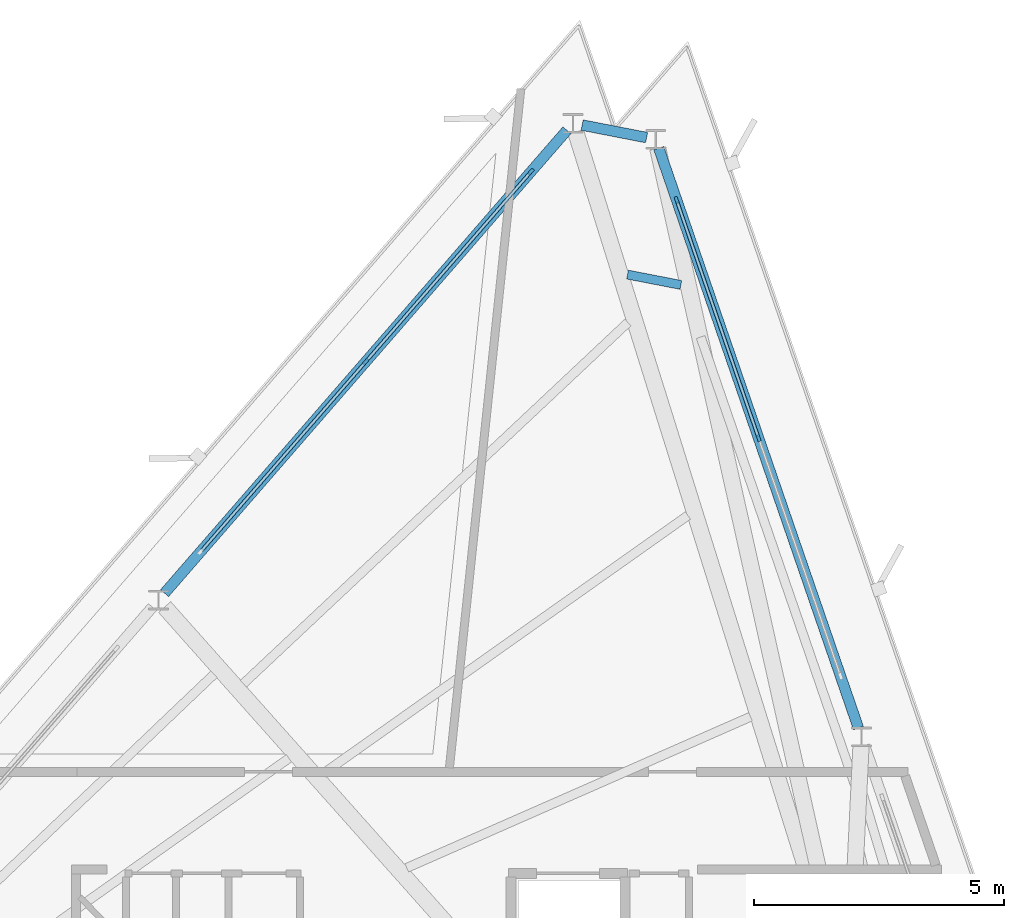
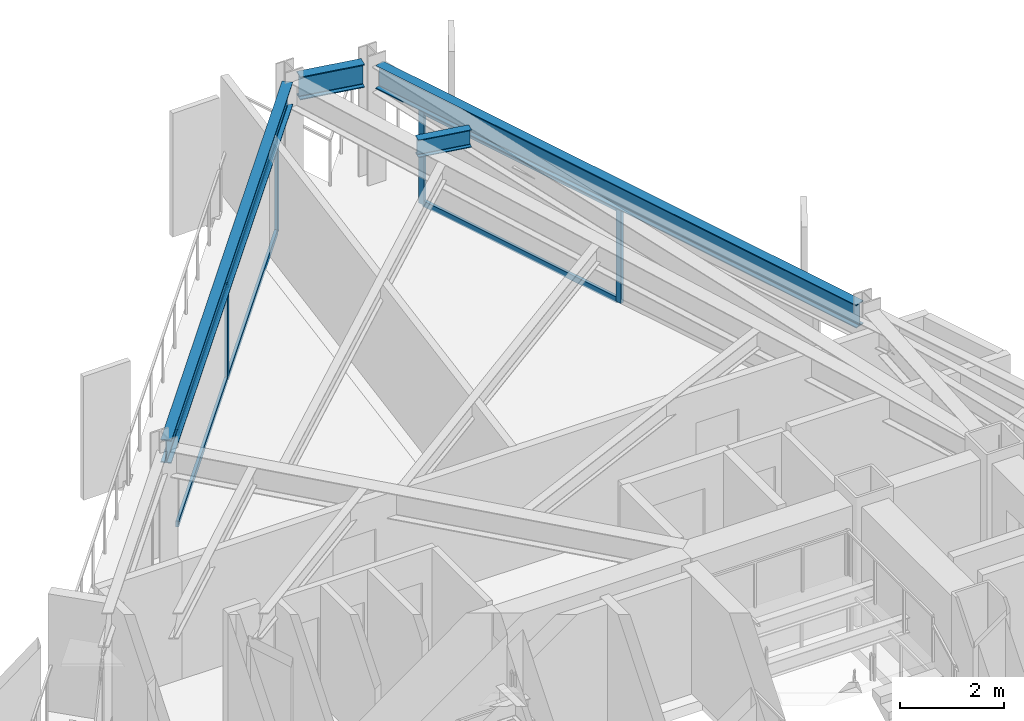
# One storey, part 7 of 13: 10 members, 4 beams, 2 elements without a shape of their own.
"""IFC4 building model written with IfcOpenShell, lengths in metres."""

from ifc_helpers import new_model, si_unit, direction, frame, origin, origin_2d, place, context, subcontext, project, spatial, rectangle, i_section, extrude, material, layer, layer_set, material_profile, profile_set, type_object, element, aggregate, save


model = new_model("IFC4")

# Units and contexts
model_context = context("Model", 3, precision=1e-05, world=origin(), true_north=direction((0.0, 1.0)))
body_context = subcontext(model_context, "Body", "Model", "MODEL_VIEW")
ifc_project = project(units=[si_unit("LENGTHUNIT", "METRE"), si_unit("AREAUNIT", "SQUARE_METRE"), si_unit("VOLUMEUNIT", "CUBIC_METRE"), si_unit("PLANEANGLEUNIT", "RADIAN"), si_unit("MASSUNIT", "GRAM", prefix="KILO")], contexts=[model_context])

# Site, building, storey
site_placement = place(None, origin())
site = spatial("IfcSite", under=ifc_project, at=site_placement, CompositionType="ELEMENT")
building_placement = place(site_placement, origin())
building = spatial("IfcBuilding", under=site, at=building_placement, Name="Rocaltana Carrier Exchange", CompositionType="ELEMENT")
storey_placement = place(building_placement, frame((0.0, 0.0, 162.39990234375)))
storey = spatial("IfcBuildingStorey", under=building, at=storey_placement, Name="L51", CompositionType="ELEMENT", Elevation=162.39990234375)

# Curtain wall, members
ifc_material_1 = material(Name="Aluminium 6063-T6", Category="aluminium")
ifc_layer = layer(ifc_material_1, 0.135009765625)
ifc_layer_set = layer_set([ifc_layer], Name="Aluminium 6063-T6")
curtain_wall_type = type_object("IfcCurtainWallType", Name="Upper-Mid Acoustic Curtain Wall CW-04", PredefinedType="NOTDEFINED", material=ifc_layer_set)
curtain_wall_1_placement = place(storey_placement, origin())
curtain_wall_1 = element("IfcCurtainWall", 1, at=curtain_wall_1_placement, inside=storey, type_object=curtain_wall_type, Name="L51 CW-04 Run CW-L51-F1S3", PredefinedType="NOTDEFINED")
ifc_material_2 = material(Name="Aluminium 6063-T6", Category="aluminium")
ifc_material_profile_1 = material_profile(ifc_material_2, rectangle(XDim=0.06494140625, YDim=0.135009765625, at=origin_2d()), Name="AL-65X135")
ifc_profile_set_1 = profile_set([ifc_material_profile_1], Name="Aluminium 6063-T6")
member_type_1 = type_object("IfcMemberType", Name="CW-04 Mullion AL-65X135", PredefinedType="MULLION", material=ifc_profile_set_1)
member_1_placement = place(storey_placement, frame((7.151611328125, 15.82373046875, 0.0), z_axis=(0.0, 0.0, 1.0), x_axis=(-0.945521800517, -0.325558788464, 0.0)))
member_1 = element("IfcMember", 2, at=member_1_placement, type_object=member_type_1, Name="CW-04 mullion 2", PredefinedType="MULLION", context=body_context, shape_type="SweptSolid", body=[
    extrude(rectangle(XDim=0.06494140625, YDim=0.135009765625, at=origin_2d()), origin(), (0.0, 0.0, 1.0), 2.218017578125),
])
member_2_placement = place(storey_placement, frame((5.5126953125, 20.583740234375, 0.0), z_axis=(0.0, 0.0, 1.0), x_axis=(-0.945521800517, -0.325558788464, 0.0)))
member_2 = element("IfcMember", 3, at=member_2_placement, type_object=member_type_1, Name="CW-04 mullion 3", PredefinedType="MULLION", context=body_context, shape_type="SweptSolid", body=[
    extrude(rectangle(XDim=0.06494140625, YDim=0.135009765625, at=origin_2d()), origin(), (0.0, 0.0, 1.0), 2.218017578125),
])

curtain_wall_2_placement = place(storey_placement, origin())
curtain_wall_2 = element("IfcCurtainWall", 4, at=curtain_wall_2_placement, inside=storey, type_object=curtain_wall_type, Name="L51 CW-04 Run CW-L51-F2S1", PredefinedType="NOTDEFINED")
member_3_placement = place(storey_placement, frame((2.599609375, 21.14990234375, 0.0), z_axis=(0.0, 0.0, 1.0), x_axis=(0.75471173919, -0.656056545375, 0.0)))
member_3 = element("IfcMember", 5, at=member_3_placement, type_object=member_type_1, Name="CW-04 mullion 1", PredefinedType="MULLION", context=body_context, shape_type="SweptSolid", body=[
    extrude(rectangle(XDim=0.06494140625, YDim=0.135009765625, at=origin_2d()), origin(), (0.0, 0.0, 1.0), 2.218017578125),
])
member_4_placement = place(storey_placement, frame((-0.703125, 17.3505859375, 0.0), z_axis=(0.0, 0.0, 1.0), x_axis=(0.75471173919, -0.656056545375, 0.0)))
member_4 = element("IfcMember", 6, at=member_4_placement, type_object=member_type_1, Name="CW-04 mullion 2", PredefinedType="MULLION", context=body_context, shape_type="SweptSolid", body=[
    extrude(rectangle(XDim=0.06494140625, YDim=0.135009765625, at=origin_2d()), origin(), (0.0, 0.0, 1.0), 2.218017578125),
])

# Member
ifc_material_3 = material(Name="Aluminium 6063-T6", Category="aluminium")
ifc_material_profile_2 = material_profile(ifc_material_3, rectangle(XDim=0.06494140625, YDim=0.135009765625, at=origin_2d()), Name="AL-65X135")
ifc_profile_set_2 = profile_set([ifc_material_profile_2], Name="Aluminium 6063-T6")
member_type_2 = type_object("IfcMemberType", Name="CW-04 Transom AL-65X135", PredefinedType="USERDEFINED", material=ifc_profile_set_2)
member_5_placement = place(storey_placement, frame((7.140869140625, 15.8544921875, 0.03271484375), z_axis=(-0.325542462737, 0.945527421578, 0.0), x_axis=(-0.945527421578, -0.325542462737, 0.0)))
member_5 = element("IfcMember", 7, at=member_5_placement, type_object=member_type_2, Name="CW-04 transom 2.1", ObjectType="TRANSOM", PredefinedType="USERDEFINED", context=body_context, shape_type="SweptSolid", body=[
    extrude(rectangle(XDim=0.06494140625, YDim=0.135009765625, at=origin_2d()), origin(), (0.0, 0.0, 1.0), 4.96923828125),
])

member_6_placement = place(storey_placement, frame((7.140869140625, 15.8544921875, 2.185546875), z_axis=(-0.325542462737, 0.945527421578, 0.0), x_axis=(-0.945527421578, -0.325542462737, 0.0)))
member_6 = element("IfcMember", 8, at=member_6_placement, type_object=member_type_2, Name="CW-04 transom 2.2", ObjectType="TRANSOM", PredefinedType="USERDEFINED", context=body_context, shape_type="SweptSolid", body=[
    extrude(rectangle(XDim=0.06494140625, YDim=0.135009765625, at=origin_2d()), origin(), (0.0, 0.0, 1.0), 4.96923828125),
])

aggregate(curtain_wall_1, [member_1, member_2, member_5, member_6])

member_7_placement = place(storey_placement, frame((2.578369140625, 21.125244140625, 0.03271484375), z_axis=(-0.656083834105, -0.75468801675, 0.0), x_axis=(0.75468801675, -0.656083834105, 0.0)))
member_7 = element("IfcMember", 9, at=member_7_placement, type_object=member_type_2, Name="CW-04 transom 1.1", ObjectType="TRANSOM", PredefinedType="USERDEFINED", context=body_context, shape_type="SweptSolid", body=[
    extrude(rectangle(XDim=0.06494140625, YDim=0.135009765625, at=origin_2d()), origin(), (0.0, 0.0, 1.0), 4.96923828125),
])

member_8_placement = place(storey_placement, frame((2.578369140625, 21.125244140625, 2.185546875), z_axis=(-0.656083834105, -0.75468801675, 0.0), x_axis=(0.75468801675, -0.656083834105, 0.0)))
member_8 = element("IfcMember", 10, at=member_8_placement, type_object=member_type_2, Name="CW-04 transom 1.2", ObjectType="TRANSOM", PredefinedType="USERDEFINED", context=body_context, shape_type="SweptSolid", body=[
    extrude(rectangle(XDim=0.06494140625, YDim=0.135009765625, at=origin_2d()), origin(), (0.0, 0.0, 1.0), 4.96923828125),
])

member_9_placement = place(storey_placement, frame((-0.724365234375, 17.325927734375, 0.03271484375), z_axis=(-0.656055850486, -0.754712343243, 0.0), x_axis=(0.754712343243, -0.656055850486, 0.0)))
member_9 = element("IfcMember", 11, at=member_9_placement, type_object=member_type_2, Name="CW-04 transom 2.1", ObjectType="TRANSOM", PredefinedType="USERDEFINED", context=body_context, shape_type="SweptSolid", body=[
    extrude(rectangle(XDim=0.06494140625, YDim=0.135009765625, at=origin_2d()), origin(), (0.0, 0.0, 1.0), 4.968994140625),
])

member_10_placement = place(storey_placement, frame((-0.724365234375, 17.325927734375, 2.185546875), z_axis=(-0.656055850486, -0.754712343243, 0.0), x_axis=(0.754712343243, -0.656055850486, 0.0)))
member_10 = element("IfcMember", 12, at=member_10_placement, type_object=member_type_2, Name="CW-04 transom 2.2", ObjectType="TRANSOM", PredefinedType="USERDEFINED", context=body_context, shape_type="SweptSolid", body=[
    extrude(rectangle(XDim=0.06494140625, YDim=0.135009765625, at=origin_2d()), origin(), (0.0, 0.0, 1.0), 4.968994140625),
])

aggregate(curtain_wall_2, [member_3, member_4, member_7, member_8, member_9, member_10])

# Beams
ifc_material_4 = material(Name="Steel S355", Category="steel")
ifc_material_profile_3 = material_profile(ifc_material_4, i_section(OverallWidth=0.179931640625, OverallDepth=0.4130859375, WebThickness=0.009765625, FlangeThickness=0.01611328125, FilletRadius=0.012939453125, at=origin_2d()), Name="W16X50")
ifc_profile_set_3 = profile_set([ifc_material_profile_3], Name="Steel S355")
beam_type_1 = type_object("IfcBeamType", Name="Floor Joist W16X50", PredefinedType="JOIST", material=ifc_profile_set_3)
beam_1_placement = place(storey_placement, frame((5.59716796875, 18.8857421875, 2.58154296875), z_axis=(-0.981629422322, 0.190797477004, 0.0), x_axis=(-0.190797477004, -0.981629422322, 0.0)))
element("IfcBeam", 13, at=beam_1_placement, inside=storey, type_object=beam_type_1, Name="FJ-L51-04-3", PredefinedType="JOIST", context=body_context, shape_type="SweptSolid", body=[
    extrude(i_section(OverallWidth=0.179931640625, OverallDepth=0.4130859375, WebThickness=0.009765625, FlangeThickness=0.01611328125, FilletRadius=0.012939453125, at=origin_2d()), origin(), (0.0, 0.0, 1.0), 1.08642578125),
])
ifc_material_5 = material(Name="Steel S355", Category="steel")
ifc_material_profile_4 = material_profile(ifc_material_5, i_section(OverallWidth=0.2119140625, OverallDepth=0.5439453125, WebThickness=0.01318359375, FlangeThickness=0.021240234375, FilletRadius=0.014892578125, at=origin_2d()), Name="W21X83")
ifc_profile_set_4 = profile_set([ifc_material_profile_4], Name="Steel S355")
beam_type_2 = type_object("IfcBeamType", Name="Spandrel Edge Beam W21X83", PredefinedType="SPANDREL", material=ifc_profile_set_4)
beam_2_placement = place(storey_placement, frame((9.147705078125, 10.026611328125, 2.51611328125), z_axis=(-0.325566047792, 0.94551930098, 0.0), x_axis=(-0.94551930098, -0.325566047792, 0.0)))
element("IfcBeam", 14, at=beam_2_placement, inside=storey, type_object=beam_type_2, Name="SP-L51-03", PredefinedType="SPANDREL", context=body_context, shape_type="SweptSolid", body=[
    extrude(i_section(OverallWidth=0.2119140625, OverallDepth=0.5439453125, WebThickness=0.01318359375, FlangeThickness=0.021240234375, FilletRadius=0.014892578125, at=origin_2d()), origin(), (0.0, 0.0, 1.0), 12.26220703125),
])
beam_3_placement = place(storey_placement, frame((4.912841796875, 21.831787109375, 2.51611328125), z_axis=(-0.981624091926, 0.190824899188, 0.0), x_axis=(-0.190824899188, -0.981624091926, 0.0)))
element("IfcBeam", 15, at=beam_3_placement, inside=storey, type_object=beam_type_2, Name="SP-L51-04", PredefinedType="SPANDREL", context=body_context, shape_type="SweptSolid", body=[
    extrude(i_section(OverallWidth=0.2119140625, OverallDepth=0.5439453125, WebThickness=0.01318359375, FlangeThickness=0.021240234375, FilletRadius=0.014892578125, at=origin_2d()), origin(), (0.0, 0.0, 1.0), 1.31396484375),
])
beam_4_placement = place(storey_placement, frame((3.3193359375, 21.977783203125, 2.51611328125), z_axis=(-0.65606829307, -0.754701526982, 0.0), x_axis=(0.754701526982, -0.65606829307, 0.0)))
element("IfcBeam", 16, at=beam_4_placement, inside=storey, type_object=beam_type_2, Name="SP-L51-05", PredefinedType="SPANDREL", context=body_context, shape_type="SweptSolid", body=[
    extrude(i_section(OverallWidth=0.2119140625, OverallDepth=0.5439453125, WebThickness=0.01318359375, FlangeThickness=0.021240234375, FilletRadius=0.014892578125, at=origin_2d()), origin(), (0.0, 0.0, 1.0), 12.26220703125),
])

save(model, "model.ifc")
